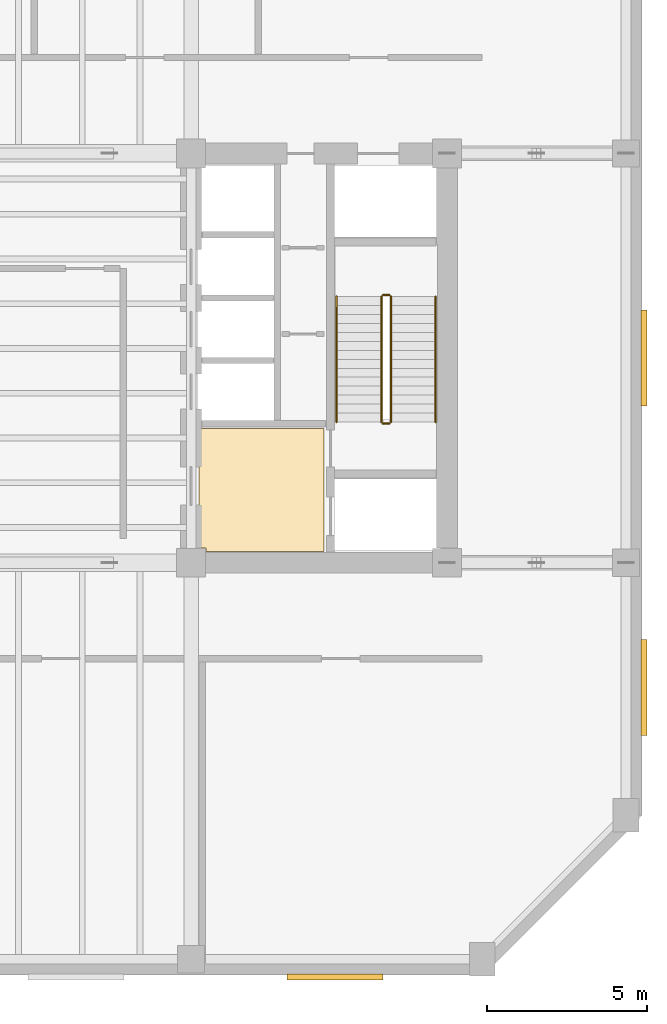
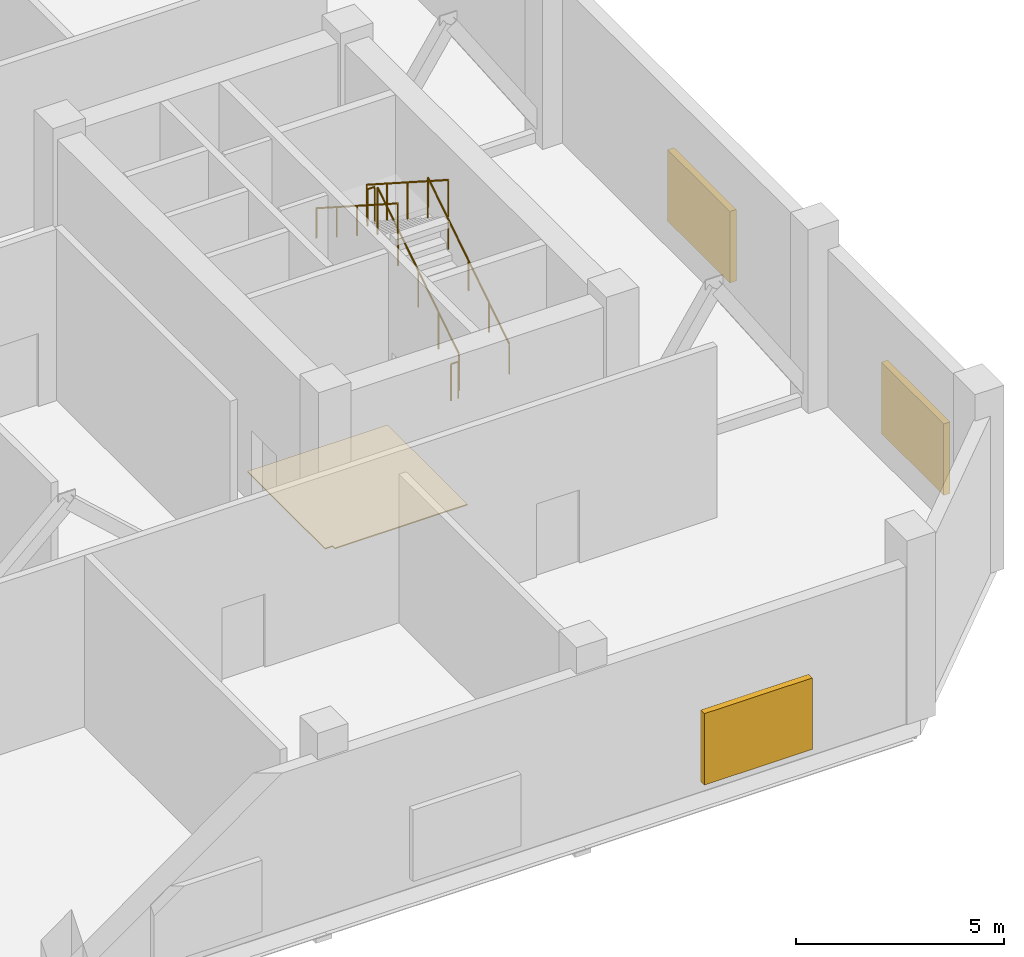
# One storey, part 8 of 9: 6 railings, 3 shading devices, 1 covering.
"""IFC4 building model written with IfcOpenShell, lengths in metres."""

from ifc_helpers import new_model, si_unit, direction, frame, origin, origin_2d, place, context, subcontext, project, spatial, polyline, rectangle, circle, outline, extrude, material, layer, layer_set, type_object, element, save


model = new_model("IFC4")

# Units and contexts
model_context = context("Model", 3, precision=1e-05, world=origin(), true_north=direction((0.0, 1.0)))
body_context = subcontext(model_context, "Body", "Model", "MODEL_VIEW")
ifc_project = project(units=[si_unit("LENGTHUNIT", "METRE"), si_unit("AREAUNIT", "SQUARE_METRE"), si_unit("VOLUMEUNIT", "CUBIC_METRE"), si_unit("PLANEANGLEUNIT", "RADIAN"), si_unit("MASSUNIT", "GRAM", prefix="KILO")], contexts=[model_context])

# Site, building, storey
site_placement = place(None, origin())
site = spatial("IfcSite", under=ifc_project, at=site_placement, CompositionType="ELEMENT")
building_placement = place(site_placement, origin())
building = spatial("IfcBuilding", under=site, at=building_placement, Name="Kranthara Brick Stack", CompositionType="ELEMENT")
storey_placement = place(building_placement, frame((0.0, 0.0, 197.300048828125)))
storey = spatial("IfcBuildingStorey", under=building, at=storey_placement, Name="L51", CompositionType="ELEMENT", Elevation=197.300048828125)

# Covering
ifc_material_1 = material(Name="Honed terrazzo and porcelain floor finish", Category="stone")
ifc_layer = layer(ifc_material_1, 0.030029296875)
ifc_layer_set = layer_set([ifc_layer], Name="Honed terrazzo and porcelain floor finish")
covering_type = type_object("IfcCoveringType", Name="COV-FLOR-STONE", PredefinedType="FLOORING", material=ifc_layer_set)
covering_placement = place(storey_placement, origin())
element("IfcCovering", 1, at=covering_placement, inside=storey, type_object=covering_type, Name="L51 Lift Lobby Stone Flooring", PredefinedType="FLOORING", context=body_context, shape_type="SweptSolid", body=[
    extrude(outline(polyline([(35.449951171875, 25.0), (39.35009765625, 25.0), (39.35009765625, 21.14990234375), (35.659912109375, 21.14990234375), (35.659912109375, 21.260009765625), (35.449951171875, 21.260009765625), (35.449951171875, 25.0)])), origin(), (0.0, 0.0, 1.0), 0.030029296875),
])

# Railings
ifc_material_2 = material(Name="Painted galvanized steel stair guardrail", Category="steel")
railing_type_1 = type_object("IfcRailingType", Name="RL-STAIR-GUARD-1100", PredefinedType="GUARDRAIL", material=ifc_material_2)
railing_1_placement = place(storey_placement, frame((41.449951171875, 25.199951171875, 0.179931640625)))
element("IfcRailing", 2, at=railing_1_placement, inside=storey, type_object=railing_type_1, Name="L51 ST02 stair guard 1", PredefinedType="GUARDRAIL", context=body_context, shape_type="SweptSolid", body=[
    extrude(circle(Radius=0.02392578125, at=origin_2d()), frame((0.0, 0.0, 1.076171875), z_axis=(0.0, 0.841186985886, 0.540744352514), x_axis=(-1.0, 0.0, 0.0)), (0.0, 0.0, 1.0), 4.660400390625),
    extrude(circle(Radius=0.02099609375, at=origin_2d()), origin(), (0.0, 0.0, 1.0), 1.052001953125),
    extrude(circle(Radius=0.02099609375, at=origin_2d()), frame((0.0, 0.97998046875, 0.6298828125)), (0.0, 0.0, 1.0), 1.052001953125),
    extrude(circle(Radius=0.02099609375, at=origin_2d()), frame((0.0, 1.9599609375, 1.260009765625)), (0.0, 0.0, 1.0), 1.052001953125),
    extrude(circle(Radius=0.02099609375, at=origin_2d()), frame((0.0, 2.940185546875, 1.89013671875)), (0.0, 0.0, 1.0), 1.052001953125),
    extrude(circle(Radius=0.02099609375, at=origin_2d()), frame((0.0, 3.920166015625, 2.52001953125)), (0.0, 0.0, 1.0), 1.052001953125),
])
railing_2_placement = place(storey_placement, frame((41.39990234375, 29.169921875, 2.699951171875)))
element("IfcRailing", 3, at=railing_2_placement, inside=storey, type_object=railing_type_1, Name="L51 ST02 stair guard 2", PredefinedType="GUARDRAIL", context=body_context, shape_type="SweptSolid", body=[
    extrude(circle(Radius=0.02392578125, at=origin_2d()), frame((0.0, 0.0, 1.076171875), z_axis=(-1.0, 0.0, 0.0), x_axis=(0.0, -1.0, 0.0)), (0.0, 0.0, 1.0), 0.199951171875),
    extrude(circle(Radius=0.02099609375, at=origin_2d()), origin(), (0.0, 0.0, 1.0), 1.052001953125),
    extrude(circle(Radius=0.02099609375, at=origin_2d()), frame((-0.199951171875, 0.0, 0.0)), (0.0, 0.0, 1.0), 1.052001953125),
])
railing_3_placement = place(storey_placement, frame((41.14990234375, 29.1201171875, 2.8798828125)))
element("IfcRailing", 4, at=railing_3_placement, inside=storey, type_object=railing_type_1, Name="L51 ST02 stair guard 3", PredefinedType="GUARDRAIL", context=body_context, shape_type="SweptSolid", body=[
    extrude(circle(Radius=0.02392578125, at=origin_2d()), frame((0.0, 0.0, 1.076171875), z_axis=(0.0, -0.841186985886, 0.540744352514), x_axis=(1.0, 0.0, 0.0)), (0.0, 0.0, 1.0), 4.660400390625),
    extrude(circle(Radius=0.02099609375, at=origin_2d()), origin(), (0.0, 0.0, 1.0), 1.052001953125),
    extrude(circle(Radius=0.02099609375, at=origin_2d()), frame((0.0, -0.97998046875, 0.6298828125)), (0.0, 0.0, 1.0), 1.052001953125),
    extrude(circle(Radius=0.02099609375, at=origin_2d()), frame((0.0, -1.9599609375, 1.260009765625)), (0.0, 0.0, 1.0), 1.052001953125),
    extrude(circle(Radius=0.02099609375, at=origin_2d()), frame((0.0, -2.940185546875, 1.89013671875)), (0.0, 0.0, 1.0), 1.052001953125),
    extrude(circle(Radius=0.02099609375, at=origin_2d()), frame((0.0, -3.920166015625, 2.52001953125)), (0.0, 0.0, 1.0), 1.052001953125),
])
railing_4_placement = place(storey_placement, frame((41.39990234375, 25.14990234375, 0.0)))
element("IfcRailing", 5, at=railing_4_placement, inside=storey, type_object=railing_type_1, Name="L51 ST02 stair guard 4", PredefinedType="GUARDRAIL", context=body_context, shape_type="SweptSolid", body=[
    extrude(circle(Radius=0.02392578125, at=origin_2d()), frame((0.0, 0.0, 1.076171875), z_axis=(-1.0, 0.0, 0.0), x_axis=(0.0, -1.0, 0.0)), (0.0, 0.0, 1.0), 0.199951171875),
    extrude(circle(Radius=0.02099609375, at=origin_2d()), origin(), (0.0, 0.0, 1.0), 1.052001953125),
    extrude(circle(Radius=0.02099609375, at=origin_2d()), frame((-0.199951171875, 0.0, 0.0)), (0.0, 0.0, 1.0), 1.052001953125),
])
ifc_material_3 = material(Name="Brushed stainless steel tubular handrail", Category="steel")
railing_type_2 = type_object("IfcRailingType", Name="RL-STAIR-HAND-900", PredefinedType="HANDRAIL", material=ifc_material_3)
railing_5_placement = place(storey_placement, frame((42.85009765625, 25.199951171875, 0.179931640625)))
element("IfcRailing", 6, at=railing_5_placement, inside=storey, type_object=railing_type_2, Name="L51 ST02 stair handrail 1", PredefinedType="HANDRAIL", context=body_context, shape_type="SweptSolid", body=[
    extrude(circle(Radius=0.02392578125, at=origin_2d()), frame((0.0, 0.0, 0.8759765625), z_axis=(0.0, 0.841186985886, 0.540744352514), x_axis=(-1.0, 0.0, 0.0)), (0.0, 0.0, 1.0), 4.660400390625),
    extrude(circle(Radius=0.02099609375, at=origin_2d()), origin(), (0.0, 0.0, 1.0), 0.851806640625),
    extrude(circle(Radius=0.02099609375, at=origin_2d()), frame((0.0, 0.97998046875, 0.6298828125)), (0.0, 0.0, 1.0), 0.851806640625),
    extrude(circle(Radius=0.02099609375, at=origin_2d()), frame((0.0, 1.9599609375, 1.260009765625)), (0.0, 0.0, 1.0), 0.851806640625),
    extrude(circle(Radius=0.02099609375, at=origin_2d()), frame((0.0, 2.940185546875, 1.89013671875)), (0.0, 0.0, 1.0), 0.851806640625),
    extrude(circle(Radius=0.02099609375, at=origin_2d()), frame((0.0, 3.920166015625, 2.52001953125)), (0.0, 0.0, 1.0), 0.851806640625),
])
railing_6_placement = place(storey_placement, frame((39.75, 29.1201171875, 2.8798828125)))
element("IfcRailing", 7, at=railing_6_placement, inside=storey, type_object=railing_type_2, Name="L51 ST02 stair handrail 2", PredefinedType="HANDRAIL", context=body_context, shape_type="SweptSolid", body=[
    extrude(circle(Radius=0.02392578125, at=origin_2d()), frame((0.0, 0.0, 0.8759765625), z_axis=(0.0, -0.841186985886, 0.540744352514), x_axis=(1.0, 0.0, 0.0)), (0.0, 0.0, 1.0), 4.660400390625),
    extrude(circle(Radius=0.02099609375, at=origin_2d()), origin(), (0.0, 0.0, 1.0), 0.851806640625),
    extrude(circle(Radius=0.02099609375, at=origin_2d()), frame((0.0, -0.97998046875, 0.6298828125)), (0.0, 0.0, 1.0), 0.851806640625),
    extrude(circle(Radius=0.02099609375, at=origin_2d()), frame((0.0, -1.9599609375, 1.260009765625)), (0.0, 0.0, 1.0), 0.851806640625),
    extrude(circle(Radius=0.02099609375, at=origin_2d()), frame((0.0, -2.940185546875, 1.89013671875)), (0.0, 0.0, 1.0), 0.851806640625),
    extrude(circle(Radius=0.02099609375, at=origin_2d()), frame((0.0, -3.920166015625, 2.52001953125)), (0.0, 0.0, 1.0), 0.851806640625),
])

# Shading devices
ifc_material_4 = material(Name="Bronze anodised aluminium acoustic louvre", Category="aluminium")
shading_device_type = type_object("IfcShadingDeviceType", Name="SHD-LOUVRE-PLANT", PredefinedType="JALOUSIE", material=ifc_material_4)
for number, where, z_axis, x_axis, name in (
    (8, (39.699951171875, 7.840087890625, 0.2998046875), (0.0, 0.0, 1.0), (-1.0, 0.0, 0.0), "L51 SOUTH Mechanical Louvre Bank 1"),
    (9, (49.360107421875, 27.199951171875, 0.2998046875), (0.0, 0.0, 1.0), (0.0, -1.0, 0.0), "L51 EAST Mechanical Louvre Bank 2"),
    (10, (49.360107421875, 16.89990234375, 0.2998046875), (0.0, 0.0, 1.0), (0.0, -1.0, 0.0), "L51 EAST Mechanical Louvre Bank 3"),
):
    element("IfcShadingDevice", number, at=place(storey_placement, frame(where, z_axis=z_axis, x_axis=x_axis)), inside=storey, type_object=shading_device_type, Name=name, PredefinedType="JALOUSIE", context=body_context, shape_type="SweptSolid", body=[
        extrude(rectangle(XDim=3.0, YDim=0.179931640625, at=origin_2d()), origin(), (0.0, 0.0, 1.0), 2.10009765625),
    ])

save(model, "model.ifc")
